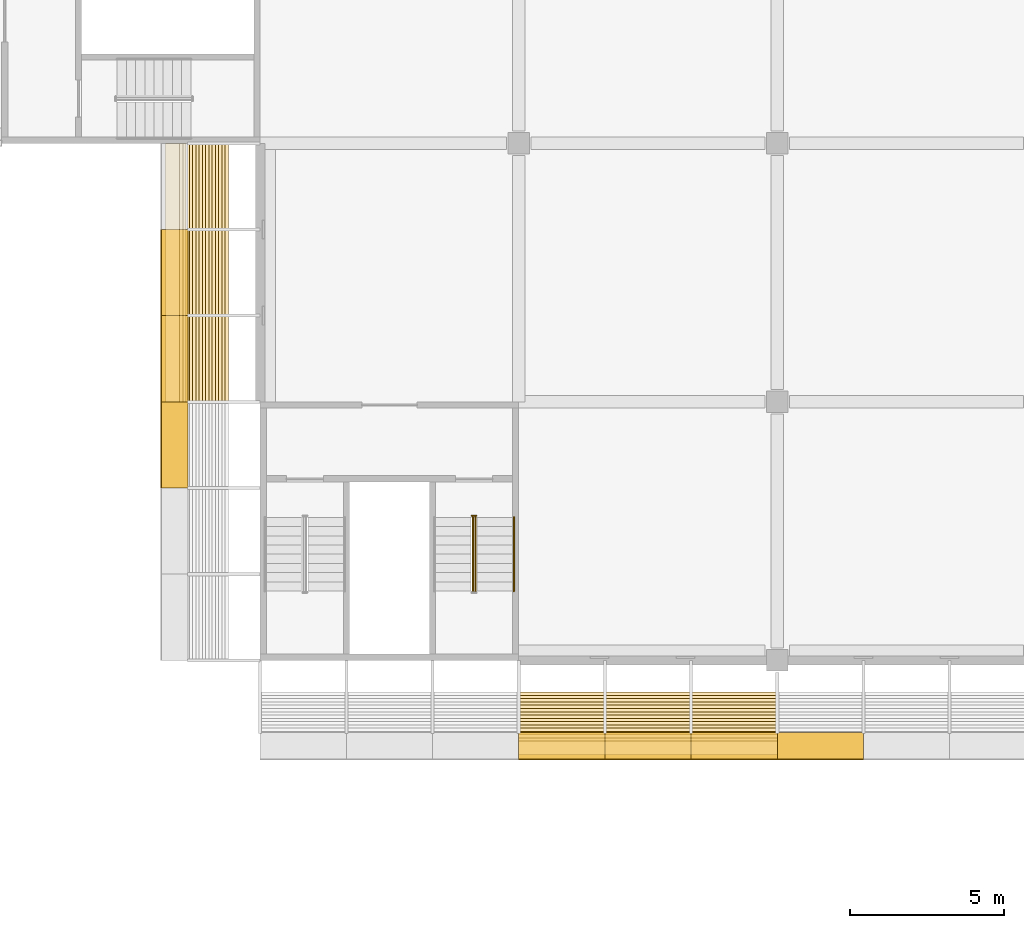
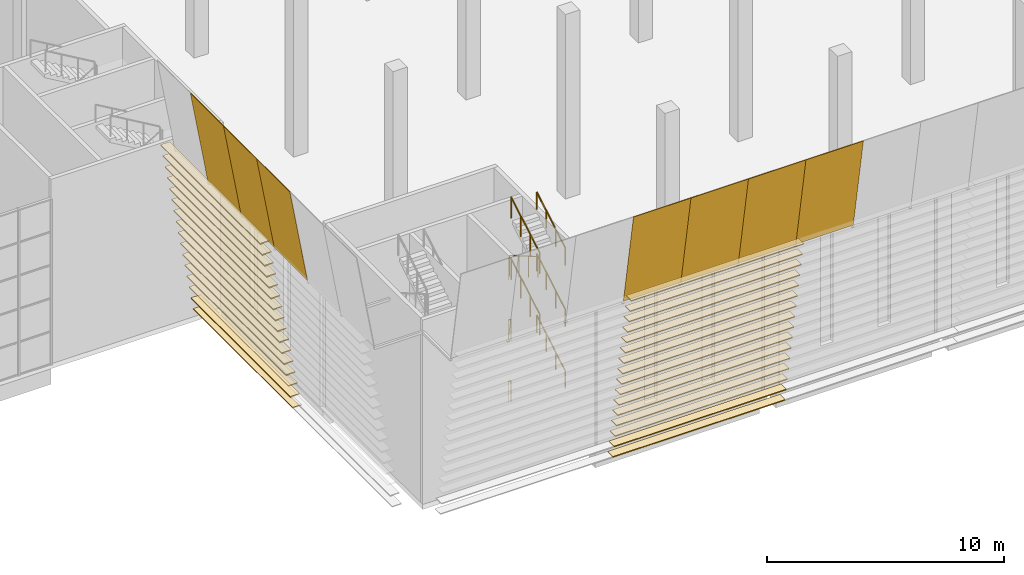
# One storey, part 93 of 114: 39 coverings, 9 railings.
"""IFC4 building model written with IfcOpenShell, lengths in metres."""

import ifcopenshell
import ifcopenshell.guid

model = None  # the IFC model being written
_history = None  # IfcOwnerHistory: only IFC2X3 demands one
_inside = {}  # id of a spatial element -> (the spatial element, [elements in it])
_under = {}  # id of a project, library or spatial element -> (it, [spatial elements below it])
_declared = {}  # id of a project -> (the project, [libraries it declares])
_typed = {}  # id of a type object -> (the type object, [elements of that type])
_made_of = {}  # id of a material, layer set ... -> (it, [elements and type objects made of it])


def new_model(schema):
    """Start an empty IFC model of exactly this schema.

    Asked for "IFC4X3", IfcOpenShell would pick the latest addendum, in which some entities
    have other attributes; the version numbers below select the first issue.
    IFC2X3 requires an IfcOwnerHistory on every rooted entity: one is made here for all.
    """
    global model, _history
    if schema == "IFC4X3":
        model = ifcopenshell.file(schema_version=(4, 3, 0, 0))
    else:
        model = ifcopenshell.file(schema=schema)
    _inside.clear()
    _under.clear()
    _declared.clear()
    _typed.clear()
    _made_of.clear()
    _history = None
    if model.schema == "IFC2X3":
        org = make("IfcOrganization", Name="unknown")
        user = make(
            "IfcPersonAndOrganization",
            ThePerson=make("IfcPerson", FamilyName="unknown"),
            TheOrganization=org,
        )
        app = make(
            "IfcApplication",
            ApplicationDeveloper=org,
            Version="unknown",
            ApplicationFullName="unknown",
            ApplicationIdentifier="unknown",
        )
        _history = make(
            "IfcOwnerHistory",
            OwningUser=user,
            OwningApplication=app,
            ChangeAction="ADDED",
            CreationDate=0,
        )
    return model


def make(cls, **values):
    """One entity of the class cls with the attributes given. An attribute that is None is left unset."""
    return model.create_entity(
        cls, **{name: value for name, value in values.items() if value is not None}
    )


def rooted(cls, **values):
    """An entity with a GlobalId (a new one), such as an element, a storey or a relation."""
    return make(cls, GlobalId=ifcopenshell.guid.new(), OwnerHistory=_history, **values)


def si_unit(unit_type, name, prefix=None):
    """IfcSIUnit, for example si_unit("LENGTHUNIT", "METRE", prefix="MILLI")."""
    return make("IfcSIUnit", UnitType=unit_type, Prefix=prefix, Name=name)


def assignment(units):
    """IfcUnitAssignment: the units of a project."""
    return None if units is None else make("IfcUnitAssignment", Units=units)


def point(xyz):
    """IfcCartesianPoint."""
    return None if xyz is None else make("IfcCartesianPoint", Coordinates=xyz)


def direction(xyz):
    """IfcDirection."""
    return None if xyz is None else make("IfcDirection", DirectionRatios=xyz)


def frame(location, z_axis=None, x_axis=None):
    """IfcAxis2Placement3D, a coordinate frame: its origin and axes. An axis left out is left unset."""
    return make(
        "IfcAxis2Placement3D",
        Location=point(location),
        Axis=direction(z_axis),
        RefDirection=direction(x_axis),
    )


def frame_2d(location, x_axis=None):
    """IfcAxis2Placement2D, a coordinate frame in the plane: its origin and x axis."""
    return make(
        "IfcAxis2Placement2D", Location=point(location), RefDirection=direction(x_axis)
    )


def origin():
    """The frame at (0, 0, 0) with its axes left unset."""
    return frame((0.0, 0.0, 0.0))


def origin_2d():
    """The frame at (0, 0) in the plane with its x axis left unset."""
    return frame_2d((0.0, 0.0))


def place(relative_to, where):
    """IfcLocalPlacement: puts the frame where relative to a parent placement (None: the world)."""
    return make(
        "IfcLocalPlacement", PlacementRelTo=relative_to, RelativePlacement=where
    )


def context(
    kind, dimensions, precision=None, world=None, true_north=None, identifier=None
):
    """IfcGeometricRepresentationContext, for example the 3D "Model" context."""
    return make(
        "IfcGeometricRepresentationContext",
        ContextIdentifier=identifier,
        ContextType=kind,
        CoordinateSpaceDimension=dimensions,
        Precision=precision,
        WorldCoordinateSystem=world,
        TrueNorth=true_north,
    )


def subcontext(parent, identifier, kind, view, scale=None):
    """IfcGeometricRepresentationSubContext, for example "Body" below "Model"."""
    return make(
        "IfcGeometricRepresentationSubContext",
        ContextIdentifier=identifier,
        ContextType=kind,
        ParentContext=parent,
        TargetScale=scale,
        TargetView=view,
    )


def project(units=None, contexts=None):
    """IfcProject with its units and contexts."""
    return rooted(
        "IfcProject",
        Name="project",
        RepresentationContexts=contexts,
        UnitsInContext=assignment(units),
    )


def spatial(cls, under=None, at=None, **own):
    """A site, building, storey or space (cls), placed at a placement, below another one or the project."""
    s = rooted(cls, ObjectPlacement=at, **own)
    if under is not None:
        _under.setdefault(under.id(), (under, []))[1].append(s)
    return s


def polyline(points):
    """IfcPolyline through the points."""
    return make("IfcPolyline", Points=[point(p) for p in points])


def profile(cls, at=None, kind="AREA", **sizes):
    """A parametric profile (cls). Its sizes go by their IFC names, for example OverallWidth=200.0."""
    return make(cls, ProfileType=kind, Position=at, **sizes)


def rectangle(**sizes):
    """IfcRectangleProfileDef."""
    return profile("IfcRectangleProfileDef", **sizes)


def circle(**sizes):
    """IfcCircleProfileDef."""
    return profile("IfcCircleProfileDef", **sizes)


def outline(outer, holes=None, kind="AREA"):
    """IfcArbitraryClosedProfileDef: a profile drawn as a closed curve; with holes, ...WithVoids."""
    if holes is None:
        return make("IfcArbitraryClosedProfileDef", ProfileType=kind, OuterCurve=outer)
    return make(
        "IfcArbitraryProfileDefWithVoids",
        ProfileType=kind,
        OuterCurve=outer,
        InnerCurves=holes,
    )


def extrude(swept, where, along, depth):
    """IfcExtrudedAreaSolid: the profile swept, set in the frame where, extruded along a direction by depth."""
    return make(
        "IfcExtrudedAreaSolid",
        SweptArea=swept,
        Position=where,
        ExtrudedDirection=direction(along),
        Depth=depth,
    )


def shape(context_of_items, identifier, shape_type, items):
    """IfcShapeRepresentation: the items that make up one representation, for example the "Body"."""
    return make(
        "IfcShapeRepresentation",
        ContextOfItems=context_of_items,
        RepresentationIdentifier=identifier,
        RepresentationType=shape_type,
        Items=items,
    )


def material(Name=None, Category=None):
    """IfcMaterial."""
    return make("IfcMaterial", Name=Name, Category=Category)


def layer(
    of_material, thickness, ventilated=None, Name=None, Category=None, Priority=None
):
    """IfcMaterialLayer: one layer of a wall or slab, of a material (None: an air gap)."""
    return make(
        "IfcMaterialLayer",
        Material=of_material,
        LayerThickness=thickness,
        IsVentilated=ventilated,
        Name=Name,
        Category=Category,
        Priority=Priority,
    )


def layer_set(layers, Name=None):
    """IfcMaterialLayerSet."""
    return make("IfcMaterialLayerSet", MaterialLayers=layers, LayerSetName=Name)


def material_profile(
    of_material, cross_section, Name=None, Category=None, Priority=None
):
    """IfcMaterialProfile: a cross section and its material."""
    return make(
        "IfcMaterialProfile",
        Name=Name,
        Material=of_material,
        Profile=cross_section,
        Priority=Priority,
        Category=Category,
    )


def profile_set(profiles, Name=None, composite=None):
    """IfcMaterialProfileSet."""
    return make(
        "IfcMaterialProfileSet",
        Name=Name,
        MaterialProfiles=profiles,
        CompositeProfile=composite,
    )


def made_of(thing, what):
    """Note that an element or type object is made of a material, layer set ...; save() writes the relation."""
    if what is not None:
        _made_of.setdefault(what.id(), (what, []))[1].append(thing)
    return thing


def type_object(cls, material=None, **own):
    """A type object (cls), such as IfcWallType, which elements share."""
    return made_of(rooted(cls, **own), material)


def element(
    cls,
    number,
    at=None,
    inside=None,
    cuts=None,
    type_object=None,
    material=None,
    context=None,
    identifier="Body",
    shape_type=None,
    held_by="IfcProductDefinitionShape",
    body=None,
    shapes=None,
    **own,
):
    """One element of the class cls, such as IfcWall. Its Tag is "e" and its number.

    at: its placement. inside: the storey or other place that contains it. cuts: it is an
    opening in that element (IfcRelVoidsElement). A single representation is given by context,
    identifier, shape_type and body (its items); several are given by shapes. held_by: the class
    of the entity that holds the representations. save() writes the other relations.
    """
    e = rooted(cls, Tag="e%d" % number, ObjectPlacement=at, **own)
    if body is not None:
        shapes = [shape(context, identifier, shape_type, body)]
    if shapes is not None:
        e.Representation = make(held_by, Representations=shapes)
    if inside is not None:
        _inside.setdefault(inside.id(), (inside, []))[1].append(e)
    if cuts is not None:
        rooted(
            "IfcRelVoidsElement", RelatingBuildingElement=cuts, RelatedOpeningElement=e
        )
    if type_object is not None:
        _typed.setdefault(type_object.id(), (type_object, []))[1].append(e)
    return made_of(e, material)


def aggregate(whole, parts):
    """IfcRelAggregates: a whole, such as a stair, and the parts it consists of."""
    return rooted("IfcRelAggregates", RelatingObject=whole, RelatedObjects=parts)


def save(model, path):
    """Write the relations noted so far, then the file.

    IfcRelAggregates (storeys below a building ...), IfcRelContainedInSpatialStructure (elements
    in a storey), IfcRelDefinesByType, IfcRelAssociatesMaterial and IfcRelDeclares: one each for
    every whole, place, type object, material and project.
    """
    for whole, parts in _under.values():
        aggregate(whole, parts)
    for where, things in _inside.values():
        rooted(
            "IfcRelContainedInSpatialStructure",
            RelatedElements=things,
            RelatingStructure=where,
        )
    for kind, things in _typed.values():
        rooted("IfcRelDefinesByType", RelatedObjects=things, RelatingType=kind)
    for what, things in _made_of.values():
        rooted("IfcRelAssociatesMaterial", RelatedObjects=things, RelatingMaterial=what)
    for by, libraries in _declared.values():
        rooted("IfcRelDeclares", RelatingContext=by, RelatedDefinitions=libraries)
    model.write(path)


model = new_model("IFC4")

# Units and contexts
model_context = context("Model", 3, precision=1e-05, world=origin(), true_north=direction((0.0, 1.0)))
body_context = subcontext(model_context, "Body", "Model", "MODEL_VIEW")
ifc_project = project(units=[si_unit("LENGTHUNIT", "METRE"), si_unit("AREAUNIT", "SQUARE_METRE"), si_unit("VOLUMEUNIT", "CUBIC_METRE"), si_unit("PLANEANGLEUNIT", "RADIAN"), si_unit("MASSUNIT", "GRAM", prefix="KILO")], contexts=[model_context])

# Site, building, storey
site_placement = place(None, origin())
site = spatial("IfcSite", under=ifc_project, at=site_placement, CompositionType="ELEMENT")
building_placement = place(site_placement, origin())
building = spatial("IfcBuilding", under=site, at=building_placement, Name="Almond Square Museum", CompositionType="ELEMENT")
storey_placement = place(building_placement, frame((0.0, 0.0, 10.5)))
storey = spatial("IfcBuildingStorey", under=building, at=storey_placement, Name="L02", CompositionType="ELEMENT", Elevation=10.5)

# Coverings
ifc_material_1 = material(Name="Cedar timber louvre board", Category="wood")
ifc_material_profile = material_profile(ifc_material_1, rectangle(XDim=0.449951171875, YDim=0.050048828125, at=origin_2d()))
ifc_profile_set = profile_set([ifc_material_profile], Name="Cedar timber louvre board")
covering_type_1 = type_object("IfcCoveringType", Name="Louvre board 450 x 50", PredefinedType="CLADDING", material=ifc_profile_set)
for number, where, z_axis, x_axis, name in (
    (1, (115.199951171875, 49.141357421875, 0.39990234375), (1.0, 0.0, 0.0), (0.0, 1.0, 0.0), "Louvre board S07.02"),
    (2, (115.199951171875, 49.03564453125, 1.0), (1.0, 0.0, 0.0), (0.0, 1.0, 0.0), "Louvre board S08.02"),
    (3, (115.199951171875, 48.9296875, 1.60009765625), (1.0, 0.0, 0.0), (0.0, 1.0, 0.0), "Louvre board S09.02"),
    (4, (115.199951171875, 48.823974609375, 2.199951171875), (1.0, 0.0, 0.0), (0.0, 1.0, 0.0), "Louvre board S10.02"),
    (5, (115.199951171875, 48.71826171875, 2.800048828125), (1.0, 0.0, 0.0), (0.0, 1.0, 0.0), "Louvre board S11.02"),
    (6, (115.199951171875, 48.6123046875, 3.39990234375), (1.0, 0.0, 0.0), (0.0, 1.0, 0.0), "Louvre board S12.02"),
    (7, (115.199951171875, 48.506591796875, 4.0), (1.0, 0.0, 0.0), (0.0, 1.0, 0.0), "Louvre board S13.02"),
    (8, (115.199951171875, 48.40087890625, 4.60009765625), (1.0, 0.0, 0.0), (0.0, 1.0, 0.0), "Louvre board S14.02"),
    (9, (115.199951171875, 48.294921875, 5.199951171875), (1.0, 0.0, 0.0), (0.0, 1.0, 0.0), "Louvre board S15.02"),
    (10, (115.199951171875, 48.189208984375, 5.800048828125), (1.0, 0.0, 0.0), (0.0, 1.0, 0.0), "Louvre board S16.02"),
    (11, (115.199951171875, 48.08349609375, 6.39990234375), (1.0, 0.0, 0.0), (0.0, 1.0, 0.0), "Louvre board S17.02"),
    (12, (115.199951171875, 47.9775390625, 7.0), (1.0, 0.0, 0.0), (0.0, 1.0, 0.0), "Louvre board S18.02"),
    (13, (115.199951171875, 47.871826171875, 7.60009765625), (1.0, 0.0, 0.0), (0.0, 1.0, 0.0), "Louvre board S19.02"),
    (14, (115.199951171875, 47.76611328125, 8.199951171875), (1.0, 0.0, 0.0), (0.0, 1.0, 0.0), "Louvre board S20.02"),
    (15, (115.199951171875, 47.66015625, 8.800048828125), (1.0, 0.0, 0.0), (0.0, 1.0, 0.0), "Louvre board S21.02"),
    (16, (115.199951171875, 47.554443359375, 9.39990234375), (1.0, 0.0, 0.0), (0.0, 1.0, 0.0), "Louvre board S22.02"),
):
    element("IfcCovering", number, at=place(storey_placement, frame(where, z_axis=z_axis, x_axis=x_axis)), inside=storey, type_object=covering_type_1, Name=name, PredefinedType="CLADDING", context=body_context, shape_type="SweptSolid", body=[
        extrude(rectangle(XDim=0.449951171875, YDim=0.050048828125, at=origin_2d()), origin(), (0.0, 0.0, 1.0), 8.400146484375),
    ])
for number, where, z_axis, x_axis, name in (
    (17, (105.54150390625, 58.800048828125, 0.39990234375), (0.0, 1.0, 0.0), (-1.0, 0.0, 0.0), "Louvre board W07.02"),
    (18, (105.435546875, 58.800048828125, 1.0), (0.0, 1.0, 0.0), (-1.0, 0.0, 0.0), "Louvre board W08.02"),
    (19, (105.329833984375, 58.800048828125, 1.60009765625), (0.0, 1.0, 0.0), (-1.0, 0.0, 0.0), "Louvre board W09.02"),
    (20, (105.223876953125, 58.800048828125, 2.199951171875), (0.0, 1.0, 0.0), (-1.0, 0.0, 0.0), "Louvre board W10.02"),
    (21, (105.1181640625, 58.800048828125, 2.800048828125), (0.0, 1.0, 0.0), (-1.0, 0.0, 0.0), "Louvre board W11.02"),
    (22, (105.012451171875, 58.800048828125, 3.39990234375), (0.0, 1.0, 0.0), (-1.0, 0.0, 0.0), "Louvre board W12.02"),
    (23, (104.906494140625, 58.800048828125, 4.0), (0.0, 1.0, 0.0), (-1.0, 0.0, 0.0), "Louvre board W13.02"),
    (24, (104.80078125, 58.800048828125, 4.60009765625), (0.0, 1.0, 0.0), (-1.0, 0.0, 0.0), "Louvre board W14.02"),
    (25, (104.695068359375, 58.800048828125, 5.199951171875), (0.0, 1.0, 0.0), (-1.0, 0.0, 0.0), "Louvre board W15.02"),
    (26, (104.589111328125, 58.800048828125, 5.800048828125), (0.0, 1.0, 0.0), (-1.0, 0.0, 0.0), "Louvre board W16.02"),
    (27, (104.4833984375, 58.800048828125, 6.39990234375), (0.0, 1.0, 0.0), (-1.0, 0.0, 0.0), "Louvre board W17.02"),
    (28, (104.377685546875, 58.800048828125, 7.0), (0.0, 1.0, 0.0), (-1.0, 0.0, 0.0), "Louvre board W18.02"),
    (29, (104.271728515625, 58.800048828125, 7.60009765625), (0.0, 1.0, 0.0), (-1.0, 0.0, 0.0), "Louvre board W19.02"),
    (30, (104.166015625, 58.800048828125, 8.199951171875), (0.0, 1.0, 0.0), (-1.0, 0.0, 0.0), "Louvre board W20.02"),
    (31, (104.060302734375, 58.800048828125, 8.800048828125), (0.0, 1.0, 0.0), (-1.0, 0.0, 0.0), "Louvre board W21.02"),
    (32, (103.954345703125, 58.800048828125, 9.39990234375), (0.0, 1.0, 0.0), (-1.0, 0.0, 0.0), "Louvre board W22.02"),
):
    element("IfcCovering", number, at=place(storey_placement, frame(where, z_axis=z_axis, x_axis=x_axis)), inside=storey, type_object=covering_type_1, Name=name, PredefinedType="CLADDING", context=body_context, shape_type="SweptSolid", body=[
        extrude(rectangle(XDim=0.449951171875, YDim=0.050048828125, at=origin_2d()), origin(), (0.0, 0.0, 1.0), 8.39990234375),
    ])
ifc_material_2 = material(Name="Cedar timber sheathing panel", Category="wood")
ifc_layer = layer(ifc_material_2, 0.030029296875)
ifc_layer_set = layer_set([ifc_layer], Name="Cedar timber sheathing panel")
covering_type_2 = type_object("IfcCoveringType", Name="Louvre rain-screen backing panel 30", PredefinedType="CLADDING", material=ifc_layer_set)
for number, where, z_axis, x_axis, name in (
    (33, (115.199951171875, 48.035400390625, 8.969970703125), (0.0, -0.984808947576, -0.173641402823), (1.0, 0.0, 0.0), "Louvre rain-screen backing panel S04.05"),
    (34, (118.0, 48.035400390625, 8.969970703125), (0.0, -0.984808947576, -0.173641402823), (1.0, 0.0, 0.0), "Louvre rain-screen backing panel S05.05"),
    (35, (120.800048828125, 48.035400390625, 8.969970703125), (0.0, -0.984808947576, -0.173641402823), (1.0, 0.0, 0.0), "Louvre rain-screen backing panel S06.05"),
):
    element("IfcCovering", number, at=place(storey_placement, frame(where, z_axis=z_axis, x_axis=x_axis)), inside=storey, type_object=covering_type_2, Name=name, PredefinedType="CLADDING", context=body_context, shape_type="SweptSolid", body=[
        extrude(outline(polyline([(0.0, 0.0), (2.800048828125, 0.0), (2.800048828125, 4.935076426587713), (0.0, 4.935076426587713), (0.0, 0.0)])), frame((0.0, 0.0, -0.01513671875)), (0.0, 0.0, 1.0), 0.030029296875),
    ])
covering_1_placement = place(storey_placement, frame((123.60009765625, 48.035400390625, 8.969970703125), z_axis=(0.0, -0.984808947576, -0.173641402823), x_axis=(1.0, 0.0, 0.0)))
element("IfcCovering", 36, at=covering_1_placement, inside=storey, type_object=covering_type_2, Name="Louvre rain-screen backing panel S07.05", PredefinedType="CLADDING", context=body_context, shape_type="SweptSolid", body=[
    extrude(outline(polyline([(0.0, 0.0), (2.7998046875, 0.0), (2.7998046875, 4.935076426587713), (0.0, 4.935076426587713), (0.0, 0.0)])), frame((0.0, 0.0, -0.01513671875)), (0.0, 0.0, 1.0), 0.030029296875),
])
for number, where, z_axis, x_axis, name in (
    (37, (104.435302734375, 56.0, 8.969970703125), (0.984808947576, 0.0, 0.173641402823), (0.0, 1.0, 0.0), "Louvre rain-screen backing panel W03.05"),
    (38, (104.435302734375, 58.800048828125, 8.969970703125), (0.984808947576, 0.0, 0.173641402823), (0.0, 1.0, 0.0), "Louvre rain-screen backing panel W04.05"),
):
    element("IfcCovering", number, at=place(storey_placement, frame(where, z_axis=z_axis, x_axis=x_axis)), inside=storey, type_object=covering_type_2, Name=name, PredefinedType="CLADDING", context=body_context, shape_type="SweptSolid", body=[
        extrude(outline(polyline([(0.0, 0.0), (2.800048828125, 0.0), (2.800048828125, 4.935076426587713), (0.0, 4.935076426587713), (0.0, 0.0)])), frame((0.0, 0.0, -0.01513671875)), (0.0, 0.0, 1.0), 0.030029296875),
    ])
covering_2_placement = place(storey_placement, frame((104.435302734375, 61.60009765625, 8.969970703125), z_axis=(0.984808947576, 0.0, 0.173641402823), x_axis=(0.0, 1.0, 0.0)))
element("IfcCovering", 39, at=covering_2_placement, inside=storey, type_object=covering_type_2, Name="Louvre rain-screen backing panel W05.05", PredefinedType="CLADDING", context=body_context, shape_type="SweptSolid", body=[
    extrude(outline(polyline([(0.0, 0.0), (2.7998046875, 0.0), (2.7998046875, 4.935076426587713), (0.0, 4.935076426587713), (0.0, 0.0)])), frame((0.0, 0.0, -0.01513671875)), (0.0, 0.0, 1.0), 0.030029296875),
])

# Railings
ifc_material_3 = material(Name="Stainless steel and laminated glass", Category="steel")
railing_type_1 = type_object("IfcRailingType", Name="Stair guard 1100 steel and glass", PredefinedType="GUARDRAIL", material=ifc_material_3)
railing_1_placement = place(storey_placement, frame((113.679931640625, 55.10009765625, 3.166748046875)))
element("IfcRailing", 40, at=railing_1_placement, inside=storey, type_object=railing_type_1, Name="L02 ST-02 stair guard 4", PredefinedType="GUARDRAIL", context=body_context, shape_type="SweptSolid", body=[
    extrude(circle(Radius=0.02392578125, at=origin_2d()), frame((0.0, 0.0, 1.076171875), z_axis=(1.0, 0.0, 0.0), x_axis=(0.0, 1.0, 0.0)), (0.0, 0.0, 1.0), 0.14013671875),
    extrude(circle(Radius=0.02099609375, at=origin_2d()), origin(), (0.0, 0.0, 1.0), 1.052001953125),
    extrude(circle(Radius=0.02099609375, at=origin_2d()), frame((0.14013671875, 0.0, 0.0)), (0.0, 0.0, 1.0), 1.052001953125),
])
railing_2_placement = place(storey_placement, frame((113.7900390625, 52.64990234375, 4.926025390625)))
element("IfcRailing", 41, at=railing_2_placement, inside=storey, type_object=railing_type_1, Name="L02 ST-02 stair guard 7", PredefinedType="GUARDRAIL", context=body_context, shape_type="SweptSolid", body=[
    extrude(circle(Radius=0.02392578125, at=origin_2d()), frame((0.0, 0.0, 1.076171875), z_axis=(0.0, 0.862659684245, 0.505784805207), x_axis=(-1.0, 0.0, 0.0)), (0.0, 0.0, 1.0), 2.7822265625),
    extrude(circle(Radius=0.02099609375, at=origin_2d()), origin(), (0.0, 0.0, 1.0), 1.052001953125),
    extrude(circle(Radius=0.02099609375, at=origin_2d()), frame((0.0, 0.800048828125, 0.468994140625)), (0.0, 0.0, 1.0), 1.052001953125),
    extrude(circle(Radius=0.02099609375, at=origin_2d()), frame((0.0, 1.60009765625, 0.938232421875)), (0.0, 0.0, 1.0), 1.052001953125),
    extrude(circle(Radius=0.02099609375, at=origin_2d()), frame((0.0, 2.400146484375, 1.4072265625)), (0.0, 0.0, 1.0), 1.052001953125),
])
railing_3_placement = place(storey_placement, frame((113.679931640625, 55.10009765625, 6.333251953125)))
element("IfcRailing", 42, at=railing_3_placement, inside=storey, type_object=railing_type_1, Name="L02 ST-02 stair guard 8", PredefinedType="GUARDRAIL", context=body_context, shape_type="SweptSolid", body=[
    extrude(circle(Radius=0.02392578125, at=origin_2d()), frame((0.0, 0.0, 1.076171875), z_axis=(1.0, 0.0, 0.0), x_axis=(0.0, 1.0, 0.0)), (0.0, 0.0, 1.0), 0.14013671875),
    extrude(circle(Radius=0.02099609375, at=origin_2d()), origin(), (0.0, 0.0, 1.0), 1.052001953125),
    extrude(circle(Radius=0.02099609375, at=origin_2d()), frame((0.14013671875, 0.0, 0.0)), (0.0, 0.0, 1.0), 1.052001953125),
])
railing_4_placement = place(storey_placement, frame((113.7099609375, 55.050048828125, 6.50927734375)))
element("IfcRailing", 43, at=railing_4_placement, inside=storey, type_object=railing_type_1, Name="L02 ST-02 stair guard 9", PredefinedType="GUARDRAIL", context=body_context, shape_type="SweptSolid", body=[
    extrude(circle(Radius=0.02392578125, at=origin_2d()), frame((0.0, 0.0, 1.076171875), z_axis=(0.0, -0.862621396848, 0.505850102007), x_axis=(1.0, 0.0, 0.0)), (0.0, 0.0, 1.0), 2.782470703125),
    extrude(circle(Radius=0.02099609375, at=origin_2d()), origin(), (0.0, 0.0, 1.0), 1.052001953125),
    extrude(circle(Radius=0.02099609375, at=origin_2d()), frame((0.0, -0.800048828125, 0.46923828125)), (0.0, 0.0, 1.0), 1.052001953125),
    extrude(circle(Radius=0.02099609375, at=origin_2d()), frame((0.0, -1.60009765625, 0.938232421875)), (0.0, 0.0, 1.0), 1.052001953125),
    extrude(circle(Radius=0.02099609375, at=origin_2d()), frame((0.0, -2.400146484375, 1.407470703125)), (0.0, 0.0, 1.0), 1.052001953125),
])
railing_5_placement = place(storey_placement, frame((113.7900390625, 52.64990234375, 8.092529296875)))
element("IfcRailing", 44, at=railing_5_placement, inside=storey, type_object=railing_type_1, Name="L02 ST-02 stair guard 11", PredefinedType="GUARDRAIL", context=body_context, shape_type="SweptSolid", body=[
    extrude(circle(Radius=0.02392578125, at=origin_2d()), frame((0.0, 0.0, 1.076171875), z_axis=(0.0, 0.862621396848, 0.505850102007), x_axis=(-1.0, 0.0, 0.0)), (0.0, 0.0, 1.0), 2.782470703125),
    extrude(circle(Radius=0.02099609375, at=origin_2d()), origin(), (0.0, 0.0, 1.0), 1.052001953125),
    extrude(circle(Radius=0.02099609375, at=origin_2d()), frame((0.0, 0.800048828125, 0.46923828125)), (0.0, 0.0, 1.0), 1.052001953125),
    extrude(circle(Radius=0.02099609375, at=origin_2d()), frame((0.0, 1.60009765625, 0.938232421875)), (0.0, 0.0, 1.0), 1.052001953125),
    extrude(circle(Radius=0.02099609375, at=origin_2d()), frame((0.0, 2.400146484375, 1.407470703125)), (0.0, 0.0, 1.0), 1.052001953125),
])
railing_6_placement = place(storey_placement, frame((113.679931640625, 55.10009765625, 0.0)))
element("IfcRailing", 45, at=railing_6_placement, inside=storey, type_object=railing_type_1, Name="L02 ST-02 stair guard 12", PredefinedType="GUARDRAIL", context=body_context, shape_type="SweptSolid", body=[
    extrude(circle(Radius=0.02392578125, at=origin_2d()), frame((0.0, 0.0, 1.076171875), z_axis=(1.0, 0.0, 0.0), x_axis=(0.0, 1.0, 0.0)), (0.0, 0.0, 1.0), 0.14013671875),
    extrude(circle(Radius=0.02099609375, at=origin_2d()), origin(), (0.0, 0.0, 1.0), 1.052001953125),
    extrude(circle(Radius=0.02099609375, at=origin_2d()), frame((0.14013671875, 0.0, 0.0)), (0.0, 0.0, 1.0), 1.052001953125),
])
ifc_material_4 = material(Name="Stainless steel", Category="steel")
railing_type_2 = type_object("IfcRailingType", Name="Stair handrail 900 steel", PredefinedType="HANDRAIL", material=ifc_material_4)
railing_7_placement = place(storey_placement, frame((115.044921875, 52.64990234375, 1.75927734375)))
element("IfcRailing", 46, at=railing_7_placement, inside=storey, type_object=railing_type_2, Name="L02 ST-02 stair handrail 2", PredefinedType="HANDRAIL", context=body_context, shape_type="SweptSolid", body=[
    extrude(circle(Radius=0.02392578125, at=origin_2d()), frame((0.0, 0.0, 0.8759765625), z_axis=(0.0, 0.862621396848, 0.505850102007), x_axis=(-1.0, 0.0, 0.0)), (0.0, 0.0, 1.0), 2.782470703125),
    extrude(circle(Radius=0.02099609375, at=origin_2d()), origin(), (0.0, 0.0, 1.0), 0.851806640625),
    extrude(circle(Radius=0.02099609375, at=origin_2d()), frame((0.0, 0.800048828125, 0.46923828125)), (0.0, 0.0, 1.0), 0.851806640625),
    extrude(circle(Radius=0.02099609375, at=origin_2d()), frame((0.0, 1.60009765625, 0.938232421875)), (0.0, 0.0, 1.0), 0.851806640625),
    extrude(circle(Radius=0.02099609375, at=origin_2d()), frame((0.0, 2.400146484375, 1.407470703125)), (0.0, 0.0, 1.0), 0.851806640625),
])
railing_8_placement = place(storey_placement, frame((115.044921875, 52.64990234375, 4.926025390625)))
element("IfcRailing", 47, at=railing_8_placement, inside=storey, type_object=railing_type_2, Name="L02 ST-02 stair handrail 4", PredefinedType="HANDRAIL", context=body_context, shape_type="SweptSolid", body=[
    extrude(circle(Radius=0.02392578125, at=origin_2d()), frame((0.0, 0.0, 0.8759765625), z_axis=(0.0, 0.862659684245, 0.505784805207), x_axis=(-1.0, 0.0, 0.0)), (0.0, 0.0, 1.0), 2.7822265625),
    extrude(circle(Radius=0.02099609375, at=origin_2d()), origin(), (0.0, 0.0, 1.0), 0.851806640625),
    extrude(circle(Radius=0.02099609375, at=origin_2d()), frame((0.0, 0.800048828125, 0.468994140625)), (0.0, 0.0, 1.0), 0.851806640625),
    extrude(circle(Radius=0.02099609375, at=origin_2d()), frame((0.0, 1.60009765625, 0.938232421875)), (0.0, 0.0, 1.0), 0.851806640625),
    extrude(circle(Radius=0.02099609375, at=origin_2d()), frame((0.0, 2.400146484375, 1.4072265625)), (0.0, 0.0, 1.0), 0.851806640625),
])
railing_9_placement = place(storey_placement, frame((115.044921875, 52.64990234375, 8.092529296875)))
element("IfcRailing", 48, at=railing_9_placement, inside=storey, type_object=railing_type_2, Name="L02 ST-02 stair handrail 6", PredefinedType="HANDRAIL", context=body_context, shape_type="SweptSolid", body=[
    extrude(circle(Radius=0.02392578125, at=origin_2d()), frame((0.0, 0.0, 0.8759765625), z_axis=(0.0, 0.862621396848, 0.505850102007), x_axis=(-1.0, 0.0, 0.0)), (0.0, 0.0, 1.0), 2.782470703125),
    extrude(circle(Radius=0.02099609375, at=origin_2d()), origin(), (0.0, 0.0, 1.0), 0.851806640625),
    extrude(circle(Radius=0.02099609375, at=origin_2d()), frame((0.0, 0.800048828125, 0.46923828125)), (0.0, 0.0, 1.0), 0.851806640625),
    extrude(circle(Radius=0.02099609375, at=origin_2d()), frame((0.0, 1.60009765625, 0.938232421875)), (0.0, 0.0, 1.0), 0.851806640625),
    extrude(circle(Radius=0.02099609375, at=origin_2d()), frame((0.0, 2.400146484375, 1.407470703125)), (0.0, 0.0, 1.0), 0.851806640625),
])

save(model, "model.ifc")
